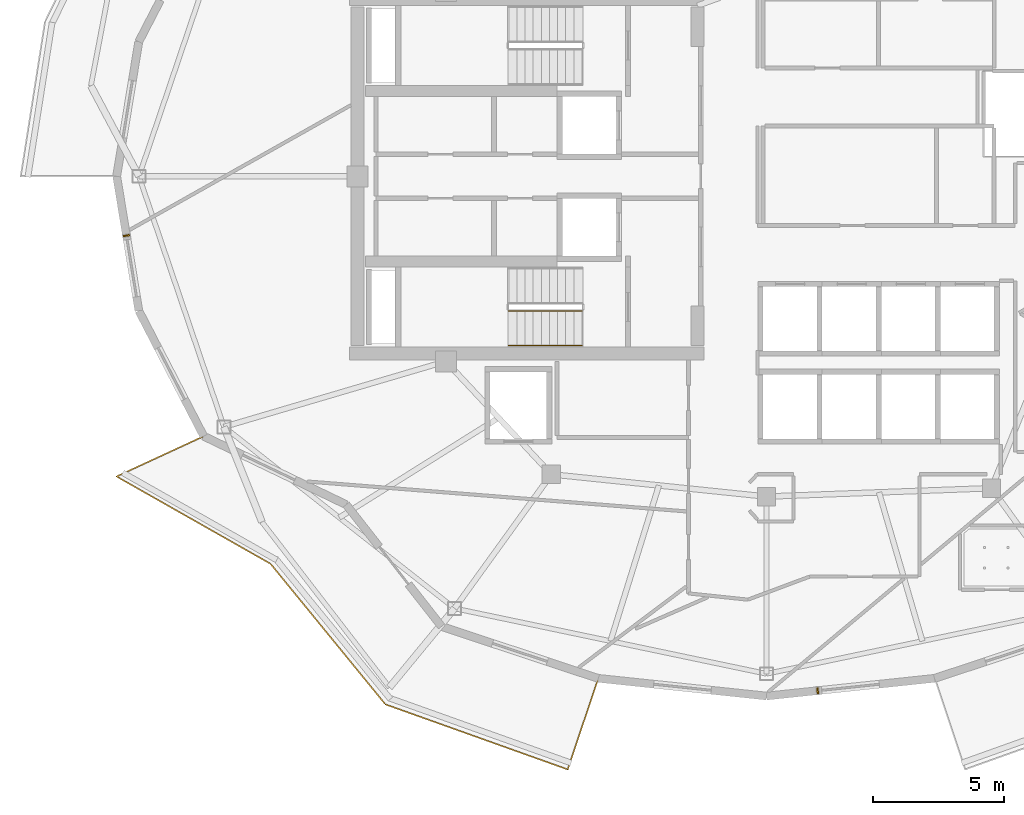
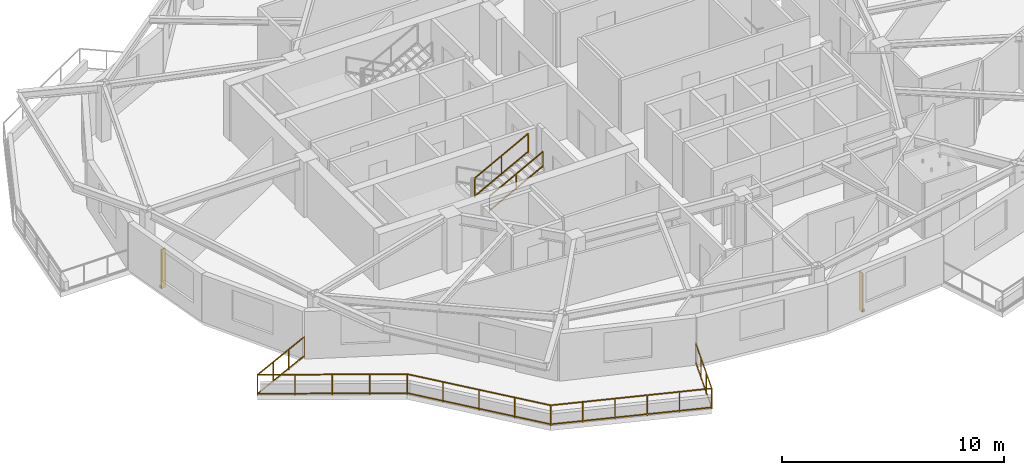
# One storey, part 10 of 13: 3 railings, 2 shading devices.
"""IFC4 building model written with IfcOpenShell, lengths in metres."""

from ifc_helpers import new_model, si_unit, direction, frame, origin, origin_2d, place, context, subcontext, project, spatial, rectangle, extrude, material, type_object, element, save


model = new_model("IFC4")

# Units and contexts
model_context = context("Model", 3, precision=1e-05, world=origin(), true_north=direction((0.0, 1.0)))
body_context = subcontext(model_context, "Body", "Model", "MODEL_VIEW")
ifc_project = project(units=[si_unit("LENGTHUNIT", "METRE"), si_unit("AREAUNIT", "SQUARE_METRE"), si_unit("VOLUMEUNIT", "CUBIC_METRE"), si_unit("PLANEANGLEUNIT", "RADIAN"), si_unit("MASSUNIT", "GRAM", prefix="KILO")], contexts=[model_context])

# Site, building, storey
site_placement = place(None, origin())
site = spatial("IfcSite", under=ifc_project, at=site_placement, CompositionType="ELEMENT")
building_placement = place(site_placement, origin())
building = spatial("IfcBuilding", under=site, at=building_placement, Name="Kolvaren Gate Tower and Convention Centre", CompositionType="ELEMENT")
storey_placement = place(building_placement, frame((0.0, 0.0, 196.39990234375)))
storey = spatial("IfcBuildingStorey", under=building, at=storey_placement, Name="L51", CompositionType="ELEMENT", Elevation=196.39990234375)

# Railings
ifc_material_1 = material(Name="Brushed Stainless Steel Grade 316L", Category="steel")
railing_type_1 = type_object("IfcRailingType", Name="ARCH-RL-GUARD-1150", PredefinedType="GUARDRAIL", material=ifc_material_1)
railing_1_placement = place(storey_placement, frame((20.31005859375, 21.8701171875, 1.815185546875)))
element("IfcRailing", 1, at=railing_1_placement, inside=storey, type_object=railing_type_1, Name="L51 ST-T2 stair guard 3", PredefinedType="GUARDRAIL", context=body_context, shape_type="SweptSolid", body=[
    extrude(rectangle(XDim=0.048095703125, YDim=0.048095703125, at=origin_2d()), frame((0.0, 0.0, 1.076171875), z_axis=(0.882767428149, 0.0, 0.469810246588), x_axis=(0.0, 1.0, 0.0)), (0.0, 0.0, 1.0), 3.16064453125),
    extrude(rectangle(XDim=0.048095703125, YDim=0.048095703125, at=origin_2d()), frame((0.0, 0.0, 0.083984375), z_axis=(0.882767428149, 0.0, 0.469810246588), x_axis=(0.0, 1.0, 0.0)), (0.0, 0.0, 1.0), 3.16064453125),
    extrude(rectangle(XDim=0.0419921875, YDim=0.0419921875, at=origin_2d()), origin(), (0.0, 0.0, 1.0), 1.050048828125),
    extrude(rectangle(XDim=0.0419921875, YDim=0.0419921875, at=origin_2d()), frame((2.7900390625, 0.0, 1.48486328125)), (0.0, 0.0, 1.0), 1.050048828125),
    extrude(rectangle(XDim=0.0419921875, YDim=0.0419921875, at=origin_2d()), frame((1.39501953125, 0.0, 0.742431640625)), (0.0, 0.0, 1.0), 1.050048828125),
])
railing_2_placement = place(storey_placement, frame((8.69091796875, 17.10009765625, 0.0)))
element("IfcRailing", 2, at=railing_2_placement, inside=storey, type_object=railing_type_1, Name="Tower L51 Terrace Perimeter Guardrail GR-3", PredefinedType="GUARDRAIL", context=body_context, shape_type="SweptSolid", body=[
    extrude(rectangle(XDim=0.048095703125, YDim=0.048095703125, at=origin_2d()), frame((-0.025390625, -0.01171875, 1.1259765625), z_axis=(-0.907820723829, -0.419358478377, 0.0), x_axis=(0.419358478377, -0.907820723829, 0.0)), (0.0, 0.0, 1.0), 3.60400390625),
    extrude(rectangle(XDim=0.048095703125, YDim=0.048095703125, at=origin_2d()), frame((-0.025390625, -0.01171875, 0.083984375), z_axis=(-0.907820723829, -0.419358478377, 0.0), x_axis=(0.419358478377, -0.907820723829, 0.0)), (0.0, 0.0, 1.0), 3.60400390625),
    extrude(rectangle(XDim=0.048095703125, YDim=0.048095703125, at=origin_2d()), frame((-3.29833984375, -1.548828125, 1.1259765625), z_axis=(0.869876155964, -0.493270182846, 0.0), x_axis=(0.493270182846, 0.869876155964, 0.0)), (0.0, 0.0, 1.0), 6.6865234375),
    extrude(rectangle(XDim=0.048095703125, YDim=0.048095703125, at=origin_2d()), frame((-3.29833984375, -1.548828125, 0.083984375), z_axis=(0.869876155964, -0.493270182846, 0.0), x_axis=(0.493270182846, 0.869876155964, 0.0)), (0.0, 0.0, 1.0), 6.6865234375),
    extrude(rectangle(XDim=0.048095703125, YDim=0.048095703125, at=origin_2d()), frame((2.560302734375, -4.882568359375, 1.1259765625), z_axis=(0.632718487063, -0.77438189295, 0.0), x_axis=(0.77438189295, 0.632718487063, 0.0)), (0.0, 0.0, 1.0), 6.858154296875),
    extrude(rectangle(XDim=0.048095703125, YDim=0.048095703125, at=origin_2d()), frame((2.560302734375, -4.882568359375, 0.083984375), z_axis=(0.632718487063, -0.77438189295, 0.0), x_axis=(0.77438189295, 0.632718487063, 0.0)), (0.0, 0.0, 1.0), 6.858154296875),
    extrude(rectangle(XDim=0.048095703125, YDim=0.048095703125, at=origin_2d()), frame((6.943603515625, -10.224609375, 1.1259765625), z_axis=(0.941783827204, -0.336219010197, 0.0), x_axis=(0.336219010197, 0.941783827204, 0.0)), (0.0, 0.0, 1.0), 7.322265625),
    extrude(rectangle(XDim=0.048095703125, YDim=0.048095703125, at=origin_2d()), frame((6.943603515625, -10.224609375, 0.083984375), z_axis=(0.941783827204, -0.336219010197, 0.0), x_axis=(0.336219010197, 0.941783827204, 0.0)), (0.0, 0.0, 1.0), 7.322265625),
    extrude(rectangle(XDim=0.048095703125, YDim=0.048095703125, at=origin_2d()), frame((13.874755859375, -12.669189453125, 1.1259765625), z_axis=(0.317588247294, 0.948228719867, 0.0), x_axis=(-0.948228719867, 0.317588247294, 0.0)), (0.0, 0.0, 1.0), 3.603759765625),
    extrude(rectangle(XDim=0.048095703125, YDim=0.048095703125, at=origin_2d()), frame((13.874755859375, -12.669189453125, 0.083984375), z_axis=(0.317588247294, 0.948228719867, 0.0), x_axis=(-0.948228719867, 0.317588247294, 0.0)), (0.0, 0.0, 1.0), 3.603759765625),
    extrude(rectangle(XDim=0.0419921875, YDim=0.0419921875, at=origin_2d()), origin(), (0.0, 0.0, 1.0), 1.14990234375),
    extrude(rectangle(XDim=0.0419921875, YDim=0.0419921875, at=origin_2d()), frame((-3.32275390625, -1.534912109375, 0.0)), (0.0, 0.0, 1.0), 1.14990234375),
    extrude(rectangle(XDim=0.0419921875, YDim=0.0419921875, at=origin_2d()), frame((-1.107666015625, -0.51171875, 0.0)), (0.0, 0.0, 1.0), 1.099853515625),
    extrude(rectangle(XDim=0.0419921875, YDim=0.0419921875, at=origin_2d()), frame((-2.215087890625, -1.023193359375, 0.0)), (0.0, 0.0, 1.0), 1.099853515625),
    extrude(rectangle(XDim=0.0419921875, YDim=0.0419921875, at=origin_2d()), frame((2.54248046875, -4.86083984375, 0.0)), (0.0, 0.0, 1.0), 1.14990234375),
    extrude(rectangle(XDim=0.0419921875, YDim=0.0419921875, at=origin_2d()), frame((-1.8564453125, -2.366455078125, 0.0)), (0.0, 0.0, 1.0), 1.099853515625),
    extrude(rectangle(XDim=0.0419921875, YDim=0.0419921875, at=origin_2d()), frame((-0.39013671875, -3.19775390625, 0.0)), (0.0, 0.0, 1.0), 1.099853515625),
    extrude(rectangle(XDim=0.0419921875, YDim=0.0419921875, at=origin_2d()), frame((1.076171875, -4.029296875, 0.0)), (0.0, 0.0, 1.0), 1.099853515625),
    extrude(rectangle(XDim=0.0419921875, YDim=0.0419921875, at=origin_2d()), frame((6.917236328125, -10.215087890625, 0.0)), (0.0, 0.0, 1.0), 1.14990234375),
    extrude(rectangle(XDim=0.0419921875, YDim=0.0419921875, at=origin_2d()), frame((3.63623046875, -6.199462890625, 0.0)), (0.0, 0.0, 1.0), 1.099853515625),
    extrude(rectangle(XDim=0.0419921875, YDim=0.0419921875, at=origin_2d()), frame((4.72998046875, -7.5380859375, 0.0)), (0.0, 0.0, 1.0), 1.099853515625),
    extrude(rectangle(XDim=0.0419921875, YDim=0.0419921875, at=origin_2d()), frame((5.823486328125, -8.87646484375, 0.0)), (0.0, 0.0, 1.0), 1.099853515625),
    extrude(rectangle(XDim=0.0419921875, YDim=0.0419921875, at=origin_2d()), frame((13.865966796875, -12.69580078125, 0.0)), (0.0, 0.0, 1.0), 1.14990234375),
    extrude(rectangle(XDim=0.0419921875, YDim=0.0419921875, at=origin_2d()), frame((8.306884765625, -10.711181640625, 0.0)), (0.0, 0.0, 1.0), 1.099853515625),
    extrude(rectangle(XDim=0.0419921875, YDim=0.0419921875, at=origin_2d()), frame((9.69677734375, -11.207275390625, 0.0)), (0.0, 0.0, 1.0), 1.099853515625),
    extrude(rectangle(XDim=0.0419921875, YDim=0.0419921875, at=origin_2d()), frame((11.08642578125, -11.70361328125, 0.0)), (0.0, 0.0, 1.0), 1.099853515625),
    extrude(rectangle(XDim=0.0419921875, YDim=0.0419921875, at=origin_2d()), frame((12.476318359375, -12.19970703125, 0.0)), (0.0, 0.0, 1.0), 1.099853515625),
    extrude(rectangle(XDim=0.0419921875, YDim=0.0419921875, at=origin_2d()), frame((15.0283203125, -9.225341796875, 0.0)), (0.0, 0.0, 1.0), 1.14990234375),
    extrude(rectangle(XDim=0.0419921875, YDim=0.0419921875, at=origin_2d()), frame((14.25341796875, -11.5390625, 0.0)), (0.0, 0.0, 1.0), 1.099853515625),
    extrude(rectangle(XDim=0.0419921875, YDim=0.0419921875, at=origin_2d()), frame((14.640869140625, -10.382080078125, 0.0)), (0.0, 0.0, 1.0), 1.099853515625),
])
railing_type_2 = type_object("IfcRailingType", Name="ARCH-RL-HANDRAIL-920", PredefinedType="HANDRAIL", material=ifc_material_1)
railing_3_placement = place(storey_placement, frame((20.31005859375, 20.550048828125, 1.815185546875)))
element("IfcRailing", 3, at=railing_3_placement, inside=storey, type_object=railing_type_2, Name="L51 ST-T2 stair handrail 2", PredefinedType="HANDRAIL", context=body_context, shape_type="SweptSolid", body=[
    extrude(rectangle(XDim=0.048095703125, YDim=0.048095703125, at=origin_2d()), frame((0.0, 0.0, 0.8759765625), z_axis=(0.882767428149, 0.0, 0.469810246588), x_axis=(0.0, 1.0, 0.0)), (0.0, 0.0, 1.0), 3.16064453125),
    extrude(rectangle(XDim=0.048095703125, YDim=0.048095703125, at=origin_2d()), frame((0.0, 0.0, 0.083984375), z_axis=(0.882767428149, 0.0, 0.469810246588), x_axis=(0.0, 1.0, 0.0)), (0.0, 0.0, 1.0), 3.16064453125),
    extrude(rectangle(XDim=0.0419921875, YDim=0.0419921875, at=origin_2d()), origin(), (0.0, 0.0, 1.0), 0.849853515625),
    extrude(rectangle(XDim=0.0419921875, YDim=0.0419921875, at=origin_2d()), frame((2.7900390625, 0.0, 1.48486328125)), (0.0, 0.0, 1.0), 0.849853515625),
    extrude(rectangle(XDim=0.0419921875, YDim=0.0419921875, at=origin_2d()), frame((1.39501953125, 0.0, 0.742431640625)), (0.0, 0.0, 1.0), 0.849853515625),
])

# Shading devices
ifc_material_2 = material(Name="Kiln-Fired Bogota Terracotta Ceramic Louvre Profile", Category="masonry")
shading_device_type = type_object("IfcShadingDeviceType", Name="ARCH-SHD-FIN-180", PredefinedType="JALOUSIE", material=ifc_material_2)
for number, where, z_axis, x_axis, name in (
    (4, (5.746826171875, 24.740478515625, 0.22021484375), (0.0, 0.0, 1.0), (0.162375401515, -0.986729055508, 0.0), "Ceramic Vertical Brise-Soleil Fin FN-L51-12"),
    (5, (32.0751953125, 7.405517578125, 0.22021484375), (0.0, 0.0, 1.0), (0.994498884311, 0.104747167526, 0.0), "Ceramic Vertical Brise-Soleil Fin FN-L51-18"),
):
    element("IfcShadingDevice", number, at=place(storey_placement, frame(where, z_axis=z_axis, x_axis=x_axis)), inside=storey, type_object=shading_device_type, Name=name, PredefinedType="JALOUSIE", context=body_context, shape_type="SweptSolid", body=[
        extrude(rectangle(XDim=0.06005859375, YDim=0.239990234375, at=origin_2d()), origin(), (0.0, 0.0, 1.0), 2.14990234375),
    ])

save(model, "model.ifc")
